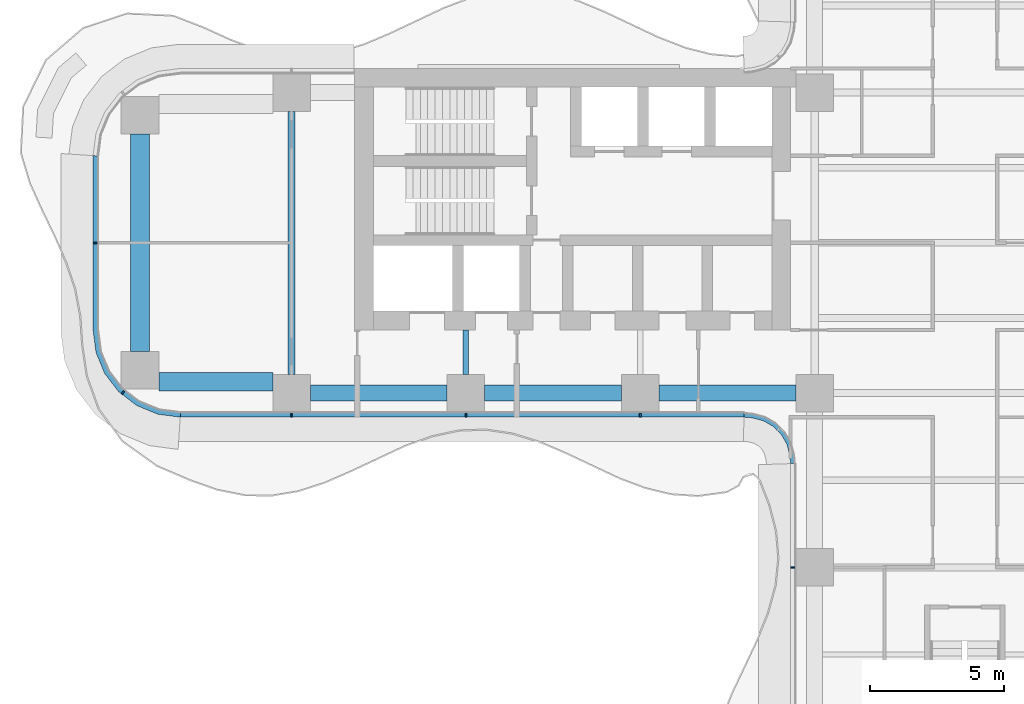
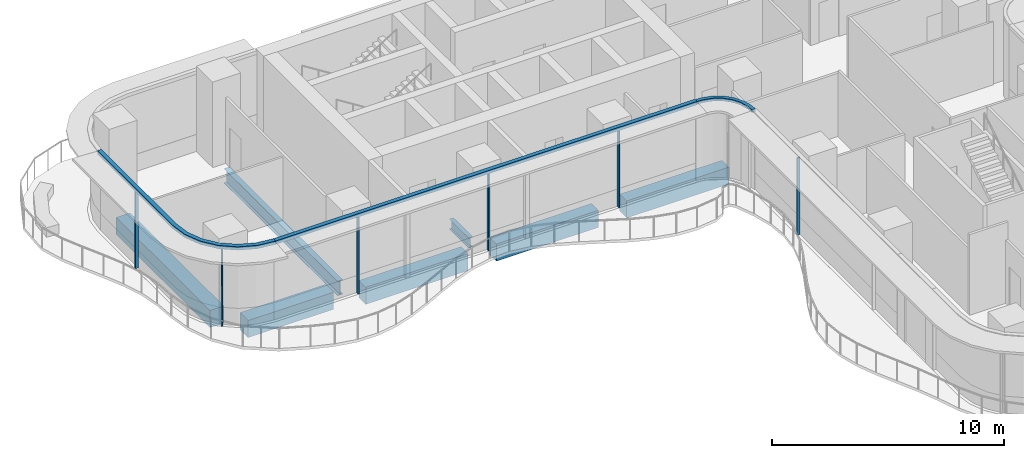
# One storey, part 3 of 22: 9 members, 7 beams, 4 elements without a shape of their own.
"""IFC4 building model written with IfcOpenShell, lengths in metres."""

from ifc_helpers import new_model, si_unit, direction, frame, origin, origin_2d, place, context, subcontext, project, spatial, polyline, rectangle, i_section, outline, extrude, source, transform, mapped, material, layer, layer_set, material_profile, profile_set, type_object, element, aggregate, save


model = new_model("IFC4")

# Units and contexts
model_context = context("Model", 3, precision=1e-05, world=origin(), true_north=direction((0.0, 1.0)))
body_context = subcontext(model_context, "Body", "Model", "MODEL_VIEW")
ifc_project = project(units=[si_unit("LENGTHUNIT", "METRE"), si_unit("AREAUNIT", "SQUARE_METRE"), si_unit("VOLUMEUNIT", "CUBIC_METRE"), si_unit("PLANEANGLEUNIT", "RADIAN"), si_unit("MASSUNIT", "GRAM", prefix="KILO")], contexts=[model_context])

# Site, building, storey
site_placement = place(None, origin())
site = spatial("IfcSite", under=ifc_project, at=site_placement, CompositionType="ELEMENT")
building_placement = place(site_placement, origin())
building = spatial("IfcBuilding", under=site, at=building_placement, Name="Trellis Farm Tower", CompositionType="ELEMENT")
storey_placement = place(building_placement, frame((0.0, 0.0, 61.0)))
storey = spatial("IfcBuildingStorey", under=building, at=storey_placement, Name="L12", CompositionType="ELEMENT", Elevation=61.0)

# Beams
ifc_material_1 = material(Name="Concrete C60/75", Category="concrete")
ifc_material_profile_1 = material_profile(ifc_material_1, rectangle(XDim=0.60009765625, YDim=0.89990234375, at=origin_2d()), Name="RC spandrel beam 600x900 C60/75")
ifc_profile_set_1 = profile_set([ifc_material_profile_1], Name="Concrete C60/75")
beam_type_1 = type_object("IfcBeamType", Name="RC spandrel beam 600x900 C60/75", PredefinedType="SPANDREL", material=ifc_profile_set_1)
shared_shape_1 = source(origin(), body_context, "Body", "SweptSolid", [
    extrude(rectangle(XDim=0.60009765625, YDim=0.89990234375, at=origin_2d()), origin(), (0.0, 0.0, 1.0), 5.099853515625),
])
for number, where, z_axis, x_axis, name in (
    (1, (-24.39990234375, -5.60009765625, -0.699951171875), (1.0, 0.0, 0.0), (0.0, 1.0, 0.0), "Girder"),
    (2, (-17.89990234375, -5.60009765625, -0.699951171875), (1.0, 0.0, 0.0), (0.0, 1.0, 0.0), "Girder"),
    (3, (-11.39990234375, -5.60009765625, -0.699951171875), (1.0, 0.0, 0.0), (0.0, 1.0, 0.0), "Girder"),
):
    element("IfcBeam", number, at=place(storey_placement, frame(where, z_axis=z_axis, x_axis=x_axis)), inside=storey, type_object=beam_type_1, Name=name, PredefinedType="SPANDREL", context=body_context, shape_type="MappedRepresentation", body=[
        mapped(shared_shape_1, transform((0.0, 0.0, 0.0))),
    ])
ifc_material_2 = material(Name="Steel S355", Category="steel")
ifc_material_profile_2 = material_profile(ifc_material_2, i_section(OverallWidth=0.2666015625, OverallDepth=0.76220703125, WebThickness=0.014404296875, FlangeThickness=0.021484375, FilletRadius=0.0166015625, at=origin_2d()), Name="UB 762x267x173")
ifc_profile_set_2 = profile_set([ifc_material_profile_2], Name="Steel S355")
beam_type_2 = type_object("IfcBeamType", Name="UB 762x267x173", PredefinedType="BEAM", material=ifc_profile_set_2)
shared_shape_2 = source(origin(), body_context, "Body", "SweptSolid", [
    extrude(i_section(OverallWidth=0.2666015625, OverallDepth=0.76220703125, WebThickness=0.014404296875, FlangeThickness=0.021484375, FilletRadius=0.0166015625, at=origin_2d()), origin(), (0.0, 0.0, 1.0), 9.7998046875),
])
beam_1_placement = place(storey_placement, frame((-25.10009765625, -4.89990234375, -0.631103515625), z_axis=(0.0, 1.0, 0.0), x_axis=(-1.0, 0.0, 0.0)))
element("IfcBeam", 4, at=beam_1_placement, inside=storey, type_object=beam_type_2, Name="Girder", PredefinedType="BEAM", context=body_context, shape_type="MappedRepresentation", body=[
    mapped(shared_shape_2, transform((0.0, 0.0, 0.0))),
])
ifc_material_profile_3 = material_profile(ifc_material_1, rectangle(XDim=0.699951171875, YDim=0.89990234375, at=origin_2d()), Name="RC spandrel beam 700x900 C60/75")
ifc_profile_set_3 = profile_set([ifc_material_profile_3], Name="Concrete C60/75")
beam_type_3 = type_object("IfcBeamType", Name="RC spandrel beam 700x900 C60/75", PredefinedType="SPANDREL", material=ifc_profile_set_3)
shared_shape_3 = source(origin(), body_context, "Body", "SweptSolid", [
    extrude(rectangle(XDim=0.699951171875, YDim=0.89990234375, at=origin_2d()), origin(), (0.0, 0.0, 1.0), 4.25),
])
beam_2_placement = place(storey_placement, frame((-30.050048828125, -5.175048828125, -0.699951171875), z_axis=(1.0, 0.0, 0.0), x_axis=(0.0, 1.0, 0.0)))
element("IfcBeam", 5, at=beam_2_placement, inside=storey, type_object=beam_type_3, Name="Girder", PredefinedType="SPANDREL", context=body_context, shape_type="MappedRepresentation", body=[
    mapped(shared_shape_3, transform((0.0, 0.0, 0.0))),
])
shared_shape_4 = source(origin(), body_context, "Body", "SweptSolid", [
    extrude(rectangle(XDim=0.699951171875, YDim=0.89990234375, at=origin_2d()), origin(), (0.0, 0.0, 1.0), 8.10009765625),
])
beam_3_placement = place(storey_placement, frame((-30.75, -4.050048828125, -0.699951171875), z_axis=(0.0, 1.0, 0.0), x_axis=(-1.0, 0.0, 0.0)))
element("IfcBeam", 6, at=beam_3_placement, inside=storey, type_object=beam_type_3, Name="Girder", PredefinedType="SPANDREL", context=body_context, shape_type="MappedRepresentation", body=[
    mapped(shared_shape_4, transform((0.0, 0.0, 0.0))),
])
ifc_material_profile_4 = material_profile(ifc_material_2, i_section(OverallWidth=0.209228515625, OverallDepth=0.533203125, WebThickness=0.010009765625, FlangeThickness=0.015625, FilletRadius=0.0126953125, at=origin_2d()), Name="UB 533x210x92")
ifc_profile_set_4 = profile_set([ifc_material_profile_4], Name="Steel S355")
beam_type_4 = type_object("IfcBeamType", Name="UB 533x210x92", PredefinedType="BEAM", material=ifc_profile_set_4)
shared_shape_5 = source(origin(), body_context, "Body", "SweptSolid", [
    extrude(i_section(OverallWidth=0.209228515625, OverallDepth=0.533203125, WebThickness=0.010009765625, FlangeThickness=0.015625, FilletRadius=0.0126953125, at=origin_2d()), origin(), (0.0, 0.0, 1.0), 1.64990234375),
])
beam_4_placement = place(storey_placement, frame((-18.60009765625, -4.89990234375, -0.5166015625), z_axis=(0.0, 1.0, 0.0), x_axis=(-1.0, 0.0, 0.0)))
element("IfcBeam", 7, at=beam_4_placement, inside=storey, type_object=beam_type_4, Name="Girder", PredefinedType="BEAM", context=body_context, shape_type="MappedRepresentation", body=[
    mapped(shared_shape_5, transform((0.0, 0.0, 0.0))),
])

# Curtain wall, members
ifc_material_3 = material(Name="Aluminium and glass curtain wall", Category="aluminium")
ifc_layer_1 = layer(ifc_material_3, 0.18994140625)
ifc_layer_set_1 = layer_set([ifc_layer_1], Name="RIBBON CURTAIN WALL CW1")
curtain_wall_type_1 = type_object("IfcCurtainWallType", Name="RIBBON CURTAIN WALL CW1", PredefinedType="NOTDEFINED", material=ifc_layer_set_1)
placement_1 = place(storey_placement, origin())
curtain_wall_1 = element("IfcCurtainWall", 8, at=placement_1, inside=storey, type_object=curtain_wall_type_1, Name="CW1 001", PredefinedType="NOTDEFINED")
ifc_material_4 = material(Name="Aluminium extrusion 6063-T6", Category="aluminium")
ifc_material_profile_5 = material_profile(ifc_material_4, rectangle(XDim=0.06005859375, YDim=0.14990234375, at=origin_2d()), Name="MULLION 60x150")
ifc_profile_set_5 = profile_set([ifc_material_profile_5], Name="Aluminium extrusion 6063-T6")
member_type_1 = type_object("IfcMemberType", Name="CW1 MULLION 60x150", PredefinedType="MULLION", material=ifc_profile_set_5)
shared_shape_6 = source(origin(), body_context, "Body", "SweptSolid", [
    extrude(rectangle(XDim=0.06005859375, YDim=0.14990234375, at=origin_2d()), origin(), (0.0, 0.0, 1.0), 4.070068359375),
])
member_1_placement = place(storey_placement, frame((-25.10009765625, -6.425048828125, 0.0), z_axis=(0.0, 0.0, 1.0), x_axis=(1.0, 0.0, 0.0)))
member_1 = element("IfcMember", 9, at=member_1_placement, type_object=member_type_1, Name="MU1 001-01", PredefinedType="MULLION", context=body_context, shape_type="MappedRepresentation", body=[
    mapped(shared_shape_6, transform((0.0, 0.0, 0.0))),
])
member_2_placement = place(storey_placement, frame((-18.60009765625, -6.425048828125, 0.0), z_axis=(0.0, 0.0, 1.0), x_axis=(1.0, 0.0, 0.0)))
member_2 = element("IfcMember", 10, at=member_2_placement, type_object=member_type_1, Name="MU1 001-02", PredefinedType="MULLION", context=body_context, shape_type="MappedRepresentation", body=[
    mapped(shared_shape_6, transform((0.0, 0.0, 0.0))),
])
member_3_placement = place(storey_placement, frame((-12.10009765625, -6.425048828125, 0.0), z_axis=(0.0, 0.0, 1.0), x_axis=(1.0, 0.0, 0.0)))
member_3 = element("IfcMember", 11, at=member_3_placement, type_object=member_type_1, Name="MU1 001-03", PredefinedType="MULLION", context=body_context, shape_type="MappedRepresentation", body=[
    mapped(shared_shape_6, transform((0.0, 0.0, 0.0))),
])

# Curtain wall, member
curtain_wall_2 = element("IfcCurtainWall", 12, at=placement_1, inside=storey, type_object=curtain_wall_type_1, Name="CW1 002", PredefinedType="NOTDEFINED")
member_4_placement = place(storey_placement, frame((-6.425048828125, -12.10009765625, 0.0), z_axis=(0.0, 0.0, 1.0), x_axis=(0.0, -1.0, 0.0)))
member_4 = element("IfcMember", 13, at=member_4_placement, type_object=member_type_1, Name="MU1 002-01", PredefinedType="MULLION", context=body_context, shape_type="MappedRepresentation", body=[
    mapped(shared_shape_6, transform((0.0, 0.0, 0.0))),
])
aggregate(curtain_wall_2, [member_4])

# Curtain wall, members
curtain_wall_3 = element("IfcCurtainWall", 14, at=placement_1, inside=storey, type_object=curtain_wall_type_1, Name="CW1 014", PredefinedType="NOTDEFINED")
member_5_placement = place(storey_placement, frame((-32.425048828125, 0.0, 0.0), z_axis=(0.0, 0.0, 1.0), x_axis=(0.0, -1.0, 0.0)))
member_5 = element("IfcMember", 15, at=member_5_placement, type_object=member_type_1, Name="MU1 014-01", PredefinedType="MULLION", context=body_context, shape_type="MappedRepresentation", body=[
    mapped(shared_shape_6, transform((0.0, 0.0, 0.0))),
])
member_6_placement = place(storey_placement, frame((-31.385498046875, -5.578369140625, 0.0), z_axis=(0.0, 0.0, 1.0), x_axis=(0.793353340291, -0.608761429009, 0.0)))
member_6 = element("IfcMember", 16, at=member_6_placement, type_object=member_type_1, Name="MU1 014-02", PredefinedType="MULLION", context=body_context, shape_type="MappedRepresentation", body=[
    mapped(shared_shape_6, transform((0.0, 0.0, 0.0))),
])

# Member
ifc_layer_2 = layer(ifc_material_4, 0.199951171875)
ifc_layer_set_2 = layer_set([ifc_layer_2], Name="Aluminium extrusion 6063-T6")
member_type_2 = type_object("IfcMemberType", Name="CW1 TRANSOM 200x180", PredefinedType="USERDEFINED", material=ifc_layer_set_2)
shared_shape_7 = source(origin(), body_context, "Body", "SweptSolid", [
    extrude(outline(polyline([(-29.25, -6.5), (-8.2314453125, -6.5), (-8.224853515625, -6.300048828125), (-29.23681640625, -6.300048828125), (-29.25, -6.5)])), origin(), (0.0, 0.0, 1.0), 0.179931640625),
])
placement_2 = place(storey_placement, frame((0.0, 0.0, 4.070068359375)))
member_7 = element("IfcMember", 17, at=placement_2, type_object=member_type_2, Name="TR1 001", ObjectType="TRANSOM", PredefinedType="USERDEFINED", context=body_context, shape_type="MappedRepresentation", body=[
    mapped(shared_shape_7, transform((0.0, 0.0, 0.0))),
])

aggregate(curtain_wall_1, [member_1, member_2, member_3, member_7])

# Curtain wall, member
ifc_layer_3 = layer(ifc_material_3, 0.166015625)
ifc_layer_set_3 = layer_set([ifc_layer_3], Name="WINTER GARDEN CURTAIN WALL CW3")
curtain_wall_type_2 = type_object("IfcCurtainWallType", Name="WINTER GARDEN CURTAIN WALL CW3", PredefinedType="NOTDEFINED", material=ifc_layer_set_3)
curtain_wall_4 = element("IfcCurtainWall", 18, at=placement_1, inside=storey, type_object=curtain_wall_type_2, Name="CW3 001", PredefinedType="NOTDEFINED")
ifc_layer_4 = layer(ifc_material_4, 0.169921875)
ifc_layer_set_4 = layer_set([ifc_layer_4], Name="Aluminium extrusion 6063-T6")
member_type_3 = type_object("IfcMemberType", Name="CW3 TRANSOM 170x150", PredefinedType="USERDEFINED", material=ifc_layer_set_4)
shared_shape_8 = source(origin(), body_context, "Body", "SweptSolid", [
    extrude(outline(polyline([(-8.2314453125, -6.5), (-8.01953125, -6.513916015625), (-7.91552734375, -6.527587890625), (-7.508544921875, -6.63671875), (-7.144287109375, -6.846923828125), (-6.846923828125, -7.144287109375), (-6.63671875, -7.508544921875), (-6.527587890625, -7.91552734375), (-6.513916015625, -8.01953125), (-6.5, -8.2314453125), (-6.330078125, -8.225830078125), (-6.3447265625, -8.0029296875), (-6.360595703125, -7.88232421875), (-6.478271484375, -7.44287109375), (-6.7109375, -7.0400390625), (-7.0400390625, -6.7109375), (-7.44287109375, -6.478271484375), (-7.88232421875, -6.360595703125), (-8.0029296875, -6.3447265625), (-8.225830078125, -6.330078125), (-8.2314453125, -6.5)])), origin(), (0.0, 0.0, 1.0), 0.14990234375),
])
member_8_placement = place(storey_placement, frame((0.0, 0.0, 4.10009765625)))
member_8 = element("IfcMember", 19, at=member_8_placement, type_object=member_type_3, Name="TR3 001", ObjectType="TRANSOM", PredefinedType="USERDEFINED", context=body_context, shape_type="MappedRepresentation", body=[
    mapped(shared_shape_8, transform((0.0, 0.0, 0.0))),
])
aggregate(curtain_wall_4, [member_8])

# Member
shared_shape_9 = source(origin(), body_context, "Body", "SweptSolid", [
    extrude(outline(polyline([(-32.5, 3.25), (-32.5, -3.25), (-32.38916015625, -4.091064453125), (-32.064697265625, -4.875), (-31.548095703125, -5.548095703125), (-30.875, -6.064697265625), (-30.091064453125, -6.38916015625), (-29.25, -6.5), (-29.23681640625, -6.300048828125), (-30.0390625, -6.1943359375), (-30.774169921875, -5.889892578125), (-31.405517578125, -5.405517578125), (-31.889892578125, -4.774169921875), (-32.1943359375, -4.0390625), (-32.300048828125, -3.23681640625), (-32.300048828125, 3.23681640625), (-32.5, 3.25)])), origin(), (0.0, 0.0, 1.0), 0.179931640625),
])
member_9 = element("IfcMember", 20, at=placement_2, type_object=member_type_2, Name="TR1 014", ObjectType="TRANSOM", PredefinedType="USERDEFINED", context=body_context, shape_type="MappedRepresentation", body=[
    mapped(shared_shape_9, transform((0.0, 0.0, 0.0))),
])

aggregate(curtain_wall_3, [member_5, member_6, member_9])

save(model, "model.ifc")
